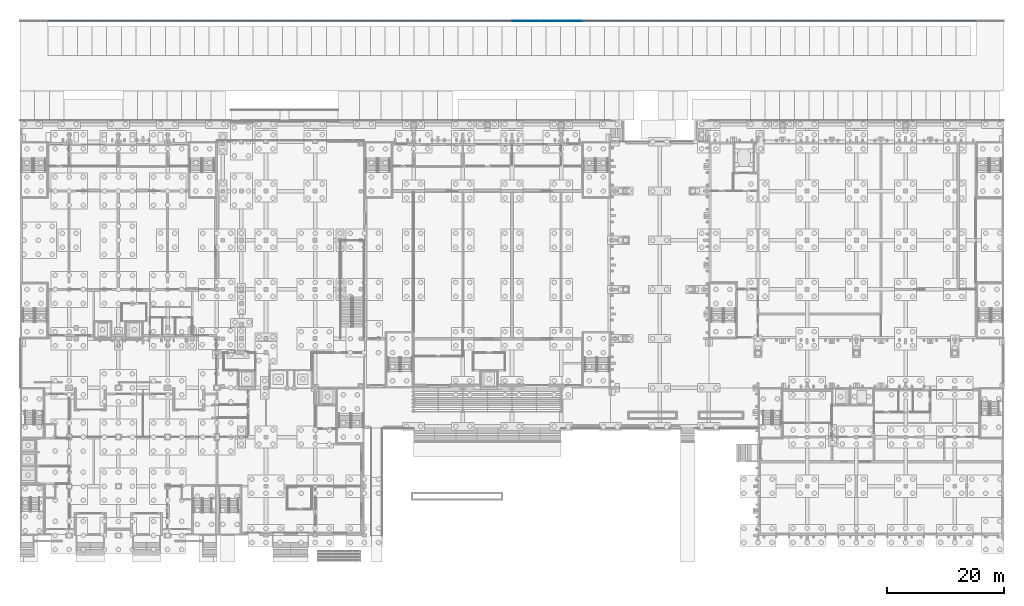
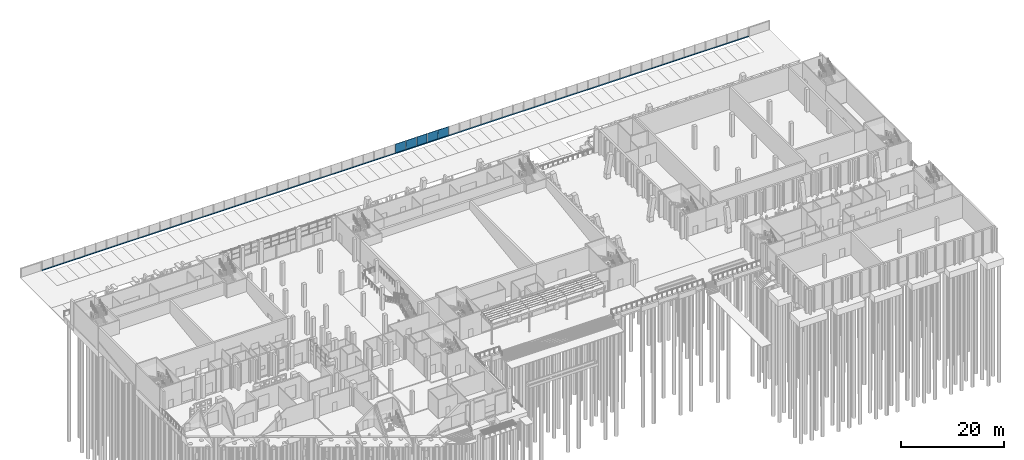
# One storey, part 53 of 129: 6 walls.
"""IFC4 building model written with IfcOpenShell, lengths in metres."""

from ifc_helpers import new_model, si_unit, direction, frame, frame_2d, origin, place, context, subcontext, project, spatial, rectangle, extrude, material, layer, layer_set, type_object, element, save


model = new_model("IFC4")

# Units and contexts
model_context = context("Model", 3, precision=1e-05, world=origin(), true_north=direction((0.0, 1.0)))
body_context = subcontext(model_context, "Body", "Model", "MODEL_VIEW")
ifc_project = project(units=[si_unit("LENGTHUNIT", "METRE"), si_unit("AREAUNIT", "SQUARE_METRE"), si_unit("VOLUMEUNIT", "CUBIC_METRE"), si_unit("PLANEANGLEUNIT", "RADIAN"), si_unit("MASSUNIT", "GRAM", prefix="KILO")], contexts=[model_context])

# Site, building, storey
site_placement = place(None, origin())
site = spatial("IfcSite", under=ifc_project, at=site_placement, CompositionType="ELEMENT")
building_placement = place(site_placement, origin())
building = spatial("IfcBuilding", under=site, at=building_placement, Name="Kiln Court Media Centre", CompositionType="ELEMENT")
storey_placement = place(building_placement, origin())
storey = spatial("IfcBuildingStorey", under=building, at=storey_placement, Name="L00", CompositionType="ELEMENT", Elevation=0.0)

# Walls
ifc_material_1 = material(Name="Concrete C30/37", Category="concrete")
ifc_layer_1 = layer(ifc_material_1, 0.199951171875)
ifc_layer_set_1 = layer_set([ifc_layer_1], Name="Concrete C30/37 edge kerb 200")
wall_type_1 = type_object("IfcWallType", Name="Concrete C30/37 edge kerb 200", PredefinedType="PARAPET", material=ifc_layer_set_1)
wall_1_placement = place(storey_placement, frame((4.7998046875, 87.85009765625, -1.199951171875), z_axis=(0.0, 0.0, 1.0), x_axis=(1.0, 0.0, 0.0)))
element("IfcWall", 1, at=wall_1_placement, inside=storey, type_object=wall_type_1, Name="Boundary fence kerb", PredefinedType="PARAPET", context=body_context, shape_type="SweptSolid", body=[
    extrude(rectangle(XDim=158.400390625, YDim=0.199951171875, at=frame_2d((79.2001953125, 0.0))), origin(), (0.0, 0.0, 1.0), 0.14990234375),
])
ifc_material_2 = material(Name="Steel ASTM A572 Gr 50", Category="steel")
ifc_layer_2 = layer(ifc_material_2, 0.10009765625)
ifc_layer_set_2 = layer_set([ifc_layer_2], Name="Steel ASTM A572 Gr 50 palisade fence panel 100")
wall_type_2 = type_object("IfcWallType", Name="Steel ASTM A572 Gr 50 palisade fence panel 100", PredefinedType="SOLIDWALL", material=ifc_layer_set_2)
wall_2_placement = place(storey_placement, frame((84.050048828125, 87.85009765625, -1.050048828125), z_axis=(0.0, 0.0, 1.0), x_axis=(1.0, 0.0, 0.0)))
element("IfcWall", 2, at=wall_2_placement, inside=storey, type_object=wall_type_2, Name="Boundary palisade fence panel 34", PredefinedType="SOLIDWALL", context=body_context, shape_type="SweptSolid", body=[
    extrude(rectangle(XDim=2.29833984375, YDim=0.10009765625, at=frame_2d((1.149169921875, 0.0))), origin(), (0.0, 0.0, 1.0), 2.050048828125),
])
for number, where, z_axis, x_axis, name in (
    (3, (86.448486328125, 87.85009765625, -1.050048828125), (0.0, 0.0, 1.0), (1.0, 0.0, 0.0), "Boundary palisade fence panel 35"),
    (4, (88.846923828125, 87.85009765625, -1.050048828125), (0.0, 0.0, 1.0), (1.0, 0.0, 0.0), "Boundary palisade fence panel 36"),
):
    element("IfcWall", number, at=place(storey_placement, frame(where, z_axis=z_axis, x_axis=x_axis)), inside=storey, type_object=wall_type_2, Name=name, PredefinedType="SOLIDWALL", context=body_context, shape_type="SweptSolid", body=[
        extrude(rectangle(XDim=2.298583984375, YDim=0.10009765625, at=frame_2d((1.1494140625, 0.0))), origin(), (0.0, 0.0, 1.0), 2.050048828125),
    ])
for number, where, z_axis, x_axis, name in (
    (5, (91.24560546875, 87.85009765625, -1.050048828125), (0.0, 0.0, 1.0), (1.0, 0.0, 0.0), "Boundary palisade fence panel 37"),
    (6, (93.64404296875, 87.85009765625, -1.050048828125), (0.0, 0.0, 1.0), (1.0, 0.0, 0.0), "Boundary palisade fence panel 38"),
):
    element("IfcWall", number, at=place(storey_placement, frame(where, z_axis=z_axis, x_axis=x_axis)), inside=storey, type_object=wall_type_2, Name=name, PredefinedType="SOLIDWALL", context=body_context, shape_type="SweptSolid", body=[
        extrude(rectangle(XDim=2.29833984375, YDim=0.10009765625, at=frame_2d((1.149169921875, 0.0))), origin(), (0.0, 0.0, 1.0), 2.050048828125),
    ])

save(model, "model.ifc")
